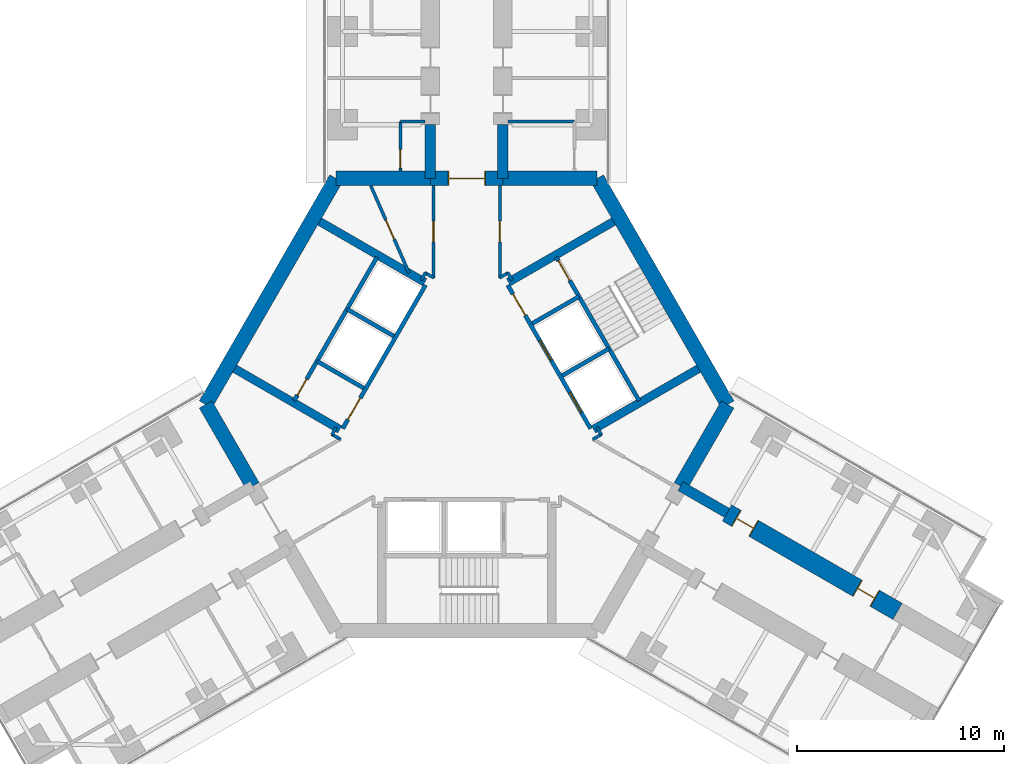
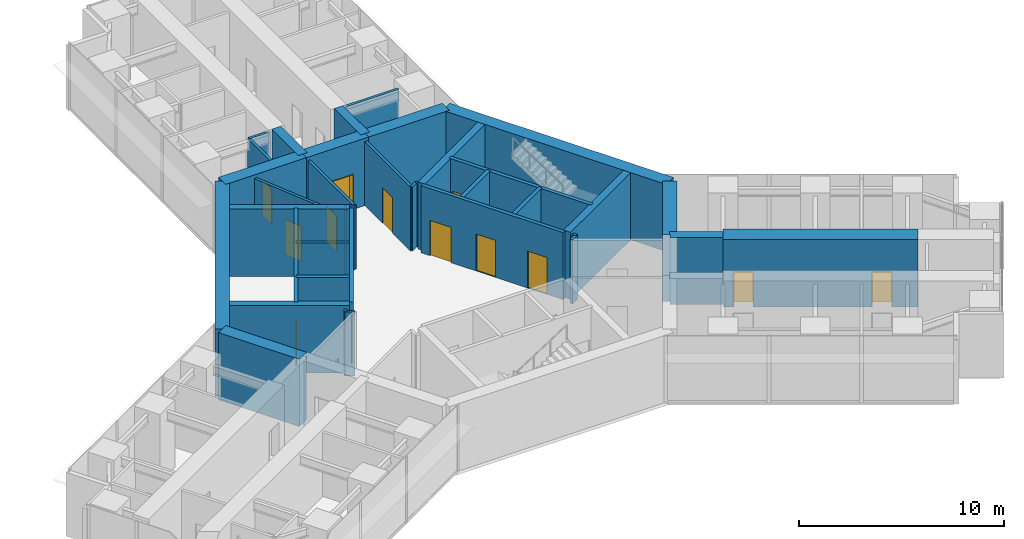
# One storey, part 21 of 24: 37 walls, 13 doors, 13 openings.
"""IFC4 building model written with IfcOpenShell, lengths in metres."""

from ifc_helpers import new_model, si_unit, direction, frame, frame_2d, origin, place, context, subcontext, project, spatial, rectangle, extrude, material, layer, layer_set, type_object, element, fill, save


model = new_model("IFC4")

# Units and contexts
model_context = context("Model", 3, precision=1e-05, world=origin(), true_north=direction((0.0, 1.0)))
body_context = subcontext(model_context, "Body", "Model", "MODEL_VIEW")
ifc_project = project(units=[si_unit("LENGTHUNIT", "METRE"), si_unit("AREAUNIT", "SQUARE_METRE"), si_unit("VOLUMEUNIT", "CUBIC_METRE"), si_unit("PLANEANGLEUNIT", "RADIAN"), si_unit("MASSUNIT", "GRAM", prefix="KILO")], contexts=[model_context])

# Site, building, storey
site_placement = place(None, origin())
site = spatial("IfcSite", under=ifc_project, at=site_placement, CompositionType="ELEMENT")
building_placement = place(site_placement, origin())
building = spatial("IfcBuilding", under=site, at=building_placement, Name="Upepo Twin Towers", CompositionType="ELEMENT")
storey_placement = place(building_placement, frame((0.0, 0.0, 56.5)))
storey = spatial("IfcBuildingStorey", under=building, at=storey_placement, Name="L13", CompositionType="ELEMENT", Elevation=56.5)

# Walls
ifc_material_1 = material(Name="Concrete C60/75", Category="concrete")
ifc_layer_1 = layer(ifc_material_1, 0.5)
ifc_layer_set_1 = layer_set([ifc_layer_1], Name="Concrete C60/75")
wall_type_1 = type_object("IfcWallType", Name="Buttress wall 500 RC", PredefinedType="SHEAR", material=ifc_layer_set_1)
for number, where, z_axis, x_axis, name in (
    (1, (56.75, -7.091552734375, 0.0), (0.0, 0.0, 1.0), (0.0, 1.0, 0.0), "T2 wing A buttress wall L"),
    (2, (60.25, -7.091552734375, 0.0), (0.0, 0.0, 1.0), (0.0, 1.0, 0.0), "T2 wing A buttress wall R"),
):
    element("IfcWall", number, at=place(storey_placement, frame(where, z_axis=z_axis, x_axis=x_axis)), inside=storey, type_object=wall_type_1, Name=name, PredefinedType="SHEAR", context=body_context, shape_type="SweptSolid", body=[
        extrude(rectangle(XDim=2.591552734375, YDim=0.5, at=frame_2d((1.2958984375, 0.0))), origin(), (0.0, 0.0, 1.0), 4.0),
    ])
wall_1_placement = place(storey_placement, frame((68.82177734375, -21.938720703125, 0.0), z_axis=(0.0, 0.0, 1.0), x_axis=(0.866072649678, -0.499918158782, 0.0)))
element("IfcWall", 3, at=wall_1_placement, inside=storey, type_object=wall_type_1, Name="T2 wing C buttress wall L", PredefinedType="SHEAR", context=body_context, shape_type="SweptSolid", body=[
    extrude(rectangle(XDim=2.591796875, YDim=0.5, at=frame_2d((1.2958984375, 0.0))), origin(), (0.0, 0.0, 1.0), 4.0),
])

# Wall, openings, doors
ifc_material_2 = material(Name="Concrete C60/75", Category="concrete")
ifc_layer_2 = layer(ifc_material_2, 0.89990234375)
ifc_layer_set_2 = layer_set([ifc_layer_2], Name="Concrete C60/75")
wall_type_2 = type_object("IfcWallType", Name="Buttress wall 900 RC", PredefinedType="SHEAR", material=ifc_layer_set_2)
wall_2_placement = place(storey_placement, frame((71.06640625, -23.234375, 0.0), z_axis=(0.0, 0.0, 1.0), x_axis=(0.86602681393, -0.499997557548, 0.0)))
wall_2 = element("IfcWall", 4, at=wall_2_placement, inside=storey, type_object=wall_type_2, Name="T2 wing C buttress wall L part 2", PredefinedType="SHEAR", context=body_context, shape_type="SweptSolid", body=[
    extrude(rectangle(XDim=9.5, YDim=0.89990234375, at=frame_2d((4.75, 0.0))), origin(), (0.0, 0.0, 1.0), 4.0),
])
opening_1_placement = place(wall_2_placement, frame((0.5, 0.0, 0.0)))
opening_1 = element("IfcOpeningElement", 5, at=opening_1_placement, cuts=wall_2, Name="Opening D1", PredefinedType="OPENING", context=body_context, shape_type="SweptSolid", body=[
    extrude(rectangle(XDim=1.0, YDim=2.10009765625, at=frame_2d((0.5, 1.050048828125))), frame((0.0, 0.4599609375, 0.0), z_axis=(0.0, -1.0, 0.0), x_axis=(1.0, 0.0, 0.0)), (0.0, 0.0, 1.0), 0.919921875),
])
opening_2_placement = place(wall_2_placement, frame((7.25, 0.0, 0.0)))
opening_2 = element("IfcOpeningElement", 6, at=opening_2_placement, cuts=wall_2, Name="Opening D1", PredefinedType="OPENING", context=body_context, shape_type="SweptSolid", body=[
    extrude(rectangle(XDim=1.0, YDim=2.10009765625, at=frame_2d((0.5, 1.050048828125))), frame((0.0, 0.4599609375, 0.0), z_axis=(0.0, -1.0, 0.0), x_axis=(1.0, 0.0, 0.0)), (0.0, 0.0, 1.0), 0.919921875),
])
ifc_material_3 = material(Name="Timber doorset", Category="wood")
door_type_1 = type_object("IfcDoorType", Name="Room door 1000 FD30", OperationType="SINGLE_SWING_LEFT", PredefinedType="DOOR", material=ifc_material_3)
door_1_placement = place(opening_1_placement, origin())
door_1 = element("IfcDoor", 7, at=door_1_placement, inside=storey, type_object=door_type_1, Name="T2 L13 classroom door", OperationType="SINGLE_SWING_LEFT", OverallHeight=2.10009765625, OverallWidth=1.0, PredefinedType="DOOR", context=body_context, shape_type="SweptSolid", body=[
    extrude(rectangle(XDim=0.92, YDim=2.06009765625, at=frame_2d((0.5, 1.030029296875))), frame((0.0, 0.02490234375, 0.0), z_axis=(0.0, -1.0, 0.0), x_axis=(1.0, 0.0, 0.0)), (0.0, 0.0, 1.0), 0.050048828125),
    extrude(rectangle(XDim=0.04, YDim=2.10009765625, at=frame_2d((0.02001953125, 1.050048828125))), frame((0.0, 0.44970703125, 0.0), z_axis=(0.0, -1.0, 0.0), x_axis=(1.0, 0.0, 0.0)), (0.0, 0.0, 1.0), 0.8994140625),
    extrude(rectangle(XDim=0.04, YDim=2.10009765625, at=frame_2d((0.97998046875, 1.050048828125))), frame((0.0, 0.44970703125, 0.0), z_axis=(0.0, -1.0, 0.0), x_axis=(1.0, 0.0, 0.0)), (0.0, 0.0, 1.0), 0.8994140625),
    extrude(rectangle(XDim=0.92, YDim=0.04, at=frame_2d((0.5, 2.080078125))), frame((0.0, 0.44970703125, 0.0), z_axis=(0.0, -1.0, 0.0), x_axis=(1.0, 0.0, 0.0)), (0.0, 0.0, 1.0), 0.8994140625),
])
fill(opening_1, door_1)
door_2_placement = place(opening_2_placement, origin())
door_2 = element("IfcDoor", 8, at=door_2_placement, inside=storey, type_object=door_type_1, Name="T2 L13 seminar room door", OperationType="SINGLE_SWING_RIGHT", OverallHeight=2.10009765625, OverallWidth=1.0, PredefinedType="DOOR", context=body_context, shape_type="SweptSolid", body=[
    extrude(rectangle(XDim=0.92, YDim=2.06009765625, at=frame_2d((0.5, 1.030029296875))), frame((0.0, 0.02490234375, 0.0), z_axis=(0.0, -1.0, 0.0), x_axis=(1.0, 0.0, 0.0)), (0.0, 0.0, 1.0), 0.050048828125),
    extrude(rectangle(XDim=0.04, YDim=2.10009765625, at=frame_2d((0.02001953125, 1.050048828125))), frame((0.0, 0.44970703125, 0.0), z_axis=(0.0, -1.0, 0.0), x_axis=(1.0, 0.0, 0.0)), (0.0, 0.0, 1.0), 0.8994140625),
    extrude(rectangle(XDim=0.04, YDim=2.10009765625, at=frame_2d((0.97998046875, 1.050048828125))), frame((0.0, 0.44970703125, 0.0), z_axis=(0.0, -1.0, 0.0), x_axis=(1.0, 0.0, 0.0)), (0.0, 0.0, 1.0), 0.8994140625),
    extrude(rectangle(XDim=0.92, YDim=0.04, at=frame_2d((0.5, 2.080078125))), frame((0.0, 0.44970703125, 0.0), z_axis=(0.0, -1.0, 0.0), x_axis=(1.0, 0.0, 0.0)), (0.0, 0.0, 1.0), 0.8994140625),
])
fill(opening_2, door_2)

# Wall
ifc_material_4 = material(Name="Concrete C60/75", Category="concrete")
ifc_layer_3 = layer(ifc_material_4, 0.699951171875)
ifc_layer_set_3 = layer_set([ifc_layer_3], Name="Concrete C60/75")
wall_type_3 = type_object("IfcWallType", Name="Core wall 700 RC", PredefinedType="SHEAR", material=ifc_layer_set_3)
wall_3_placement = place(storey_placement, frame((64.7978515625, -7.091552734375, 0.0), z_axis=(0.0, 0.0, 1.0), x_axis=(-1.0, 0.0, 0.0)))
element("IfcWall", 9, at=wall_3_placement, inside=storey, type_object=wall_type_3, Name="T2 core wall 000 R", PredefinedType="SHEAR", context=body_context, shape_type="SweptSolid", body=[
    extrude(rectangle(XDim=4.5478515625, YDim=0.699951171875, at=frame_2d((2.27392578125, 0.0))), origin(), (0.0, 0.0, 1.0), 4.0),
])

# Wall, opening, door
wall_4_placement = place(storey_placement, frame((60.25, -7.091552734375, 0.0), z_axis=(0.0, 0.0, 1.0), x_axis=(-1.0, 0.0, 0.0)))
wall_4 = element("IfcWall", 10, at=wall_4_placement, inside=storey, type_object=wall_type_3, Name="T2 core wall 000", PredefinedType="SHEAR", context=body_context, shape_type="SweptSolid", body=[
    extrude(rectangle(XDim=3.5, YDim=0.699951171875, at=frame_2d((1.75, 0.0))), origin(), (0.0, 0.0, 1.0), 4.0),
])
opening_3_placement = place(wall_4_placement, frame((0.85009765625, 0.0, 0.0)))
opening_3 = element("IfcOpeningElement", 11, at=opening_3_placement, cuts=wall_4, Name="Opening D2", PredefinedType="OPENING", context=body_context, shape_type="SweptSolid", body=[
    extrude(rectangle(XDim=1.800048828125, YDim=2.10009765625, at=frame_2d((0.89990234375, 1.050048828125))), frame((0.0, 0.35986328125, 0.0), z_axis=(0.0, -1.0, 0.0), x_axis=(1.0, 0.0, 0.0)), (0.0, 0.0, 1.0), 0.719970703125),
])
ifc_material_5 = material(Name="Timber doorset", Category="wood")
door_type_2 = type_object("IfcDoorType", Name="Corridor double door 1800 FD60", OperationType="DOUBLE_DOOR_DOUBLE_SWING", PredefinedType="DOOR", material=ifc_material_5)
door_3_placement = place(opening_3_placement, origin())
door_3 = element("IfcDoor", 12, at=door_3_placement, inside=storey, type_object=door_type_2, Name="T2 L13 wing A corridor door", OperationType="DOUBLE_DOOR_DOUBLE_SWING", OverallHeight=2.10009765625, OverallWidth=1.800048828125, PredefinedType="DOOR", context=body_context, shape_type="SweptSolid", body=[
    extrude(rectangle(XDim=1.720048828125, YDim=2.06009765625, at=frame_2d((0.89990234375, 1.030029296875))), frame((0.0, 0.02490234375, 0.0), z_axis=(0.0, -1.0, 0.0), x_axis=(1.0, 0.0, 0.0)), (0.0, 0.0, 1.0), 0.050048828125),
    extrude(rectangle(XDim=0.04, YDim=2.10009765625, at=frame_2d((0.02001953125, 1.050048828125))), frame((0.0, 0.349609375, 0.0), z_axis=(0.0, -1.0, 0.0), x_axis=(1.0, 0.0, 0.0)), (0.0, 0.0, 1.0), 0.699462890625),
    extrude(rectangle(XDim=0.04, YDim=2.10009765625, at=frame_2d((1.780029296875, 1.050048828125))), frame((0.0, 0.349609375, 0.0), z_axis=(0.0, -1.0, 0.0), x_axis=(1.0, 0.0, 0.0)), (0.0, 0.0, 1.0), 0.699462890625),
    extrude(rectangle(XDim=1.720048828125, YDim=0.04, at=frame_2d((0.89990234375, 2.080078125))), frame((0.0, 0.349609375, 0.0), z_axis=(0.0, -1.0, 0.0), x_axis=(1.0, 0.0, 0.0)), (0.0, 0.0, 1.0), 0.699462890625),
])
fill(opening_3, door_3)

# Walls
wall_5_placement = place(storey_placement, frame((56.75, -7.091552734375, 0.0), z_axis=(0.0, 0.0, 1.0), x_axis=(-1.0, 0.0, 0.0)))
element("IfcWall", 13, at=wall_5_placement, inside=storey, type_object=wall_type_3, Name="T2 core wall 000 L", PredefinedType="SHEAR", context=body_context, shape_type="SweptSolid", body=[
    extrude(rectangle(XDim=4.5478515625, YDim=0.699951171875, at=frame_2d((2.27392578125, 0.0))), origin(), (0.0, 0.0, 1.0), 4.0),
])
wall_6_placement = place(storey_placement, frame((52.2021484375, -7.091552734375, 0.0), z_axis=(0.0, 0.0, 1.0), x_axis=(-0.500005998175, -0.866021940709, 0.0)))
element("IfcWall", 14, at=wall_6_placement, inside=storey, type_object=wall_type_3, Name="T2 core wall 060", PredefinedType="SHEAR", context=body_context, shape_type="SweptSolid", body=[
    extrude(rectangle(XDim=12.595947265625, YDim=0.699951171875, at=frame_2d((6.2978515625, 0.0))), origin(), (0.0, 0.0, 1.0), 4.0),
])
for number, where, z_axis, x_axis, name in (
    (15, (45.904052734375, -18.0, 0.0), (0.0, 0.0, 1.0), (0.500024481964, -0.866011268655, 0.0), "T2 core wall 120 R"),
    (16, (68.82177734375, -21.938720703125, 0.0), (0.0, 0.0, 1.0), (0.500024481964, 0.866011268655, 0.0), "T2 core wall 240 L"),
):
    element("IfcWall", number, at=place(storey_placement, frame(where, z_axis=z_axis, x_axis=x_axis)), inside=storey, type_object=wall_type_3, Name=name, PredefinedType="SHEAR", context=body_context, shape_type="SweptSolid", body=[
        extrude(rectangle(XDim=4.548095703125, YDim=0.699951171875, at=frame_2d((2.27392578125, 0.0))), origin(), (0.0, 0.0, 1.0), 4.0),
    ])
wall_7_placement = place(storey_placement, frame((71.095947265625, -18.0, 0.0), z_axis=(0.0, 0.0, 1.0), x_axis=(-0.500005998175, 0.866021940709, 0.0)))
element("IfcWall", 17, at=wall_7_placement, inside=storey, type_object=wall_type_3, Name="T2 core wall 300", PredefinedType="SHEAR", context=body_context, shape_type="SweptSolid", body=[
    extrude(rectangle(XDim=12.595947265625, YDim=0.699951171875, at=frame_2d((6.2978515625, 0.0))), origin(), (0.0, 0.0, 1.0), 4.0),
])

# Wall, opening, door
ifc_material_6 = material(Name="Concrete C40/50", Category="concrete")
ifc_layer_4 = layer(ifc_material_6, 0.199951171875)
ifc_layer_set_4 = layer_set([ifc_layer_4], Name="Concrete C40/50")
wall_type_4 = type_object("IfcWallType", Name="Shaft wall 200 RC", PredefinedType="SHEAR", material=ifc_layer_set_4)
wall_8_placement = place(storey_placement, frame((56.516357421875, -12.23583984375, 0.0), z_axis=(0.0, 0.0, 1.0), x_axis=(-0.49999894854, -0.866026010844, 0.0)))
wall_8 = element("IfcWall", 18, at=wall_8_placement, inside=storey, type_object=wall_type_4, Name="T2 core W60 front wall", PredefinedType="SHEAR", context=body_context, shape_type="SweptSolid", body=[
    extrude(rectangle(XDim=8.0, YDim=0.199951171875, at=frame_2d((4.0, 0.0))), origin(), (0.0, 0.0, 1.0), 4.0),
])
opening_4_placement = place(wall_8_placement, frame((6.300048828125, 0.0, 0.0)))
opening_4 = element("IfcOpeningElement", 19, at=opening_4_placement, cuts=wall_8, Name="Opening D4", PredefinedType="OPENING", context=body_context, shape_type="SweptSolid", body=[
    extrude(rectangle(XDim=1.199951171875, YDim=2.10009765625, at=frame_2d((0.60009765625, 1.050048828125))), frame((0.0, 0.10986328125, 0.0), z_axis=(0.0, -1.0, 0.0), x_axis=(1.0, 0.0, 0.0)), (0.0, 0.0, 1.0), 0.219970703125),
])
ifc_material_7 = material(Name="Timber doorset", Category="wood")
door_type_3 = type_object("IfcDoorType", Name="Lobby door 1200 FD60", OperationType="SINGLE_SWING_LEFT", PredefinedType="DOOR", material=ifc_material_7)
door_4_placement = place(opening_4_placement, origin())
door_4 = element("IfcDoor", 20, at=door_4_placement, inside=storey, type_object=door_type_3, Name="T2 L13 W60 lobby door", OperationType="SINGLE_SWING_RIGHT", OverallHeight=2.10009765625, OverallWidth=1.199951171875, PredefinedType="DOOR", context=body_context, shape_type="SweptSolid", body=[
    extrude(rectangle(XDim=1.199951171875, YDim=2.10009765625, at=frame_2d((0.60009765625, 1.050048828125))), frame((0.0, 0.02490234375, 0.0), z_axis=(0.0, -1.0, 0.0), x_axis=(1.0, 0.0, 0.0)), (0.0, 0.0, 1.0), 0.050048828125),
])
fill(opening_4, door_4)

# Walls
for number, where, z_axis, x_axis, name in (
    (21, (54.979736328125, -14.697265625, 0.0), (0.0, 0.0, 1.0), (-0.866062058628, 0.499936506574, 0.0), "T2 core W60 shaft divider"),
    (22, (53.52978515625, -17.208740234375, 0.0), (0.0, 0.0, 1.0), (-0.866062058628, 0.499936506574, 0.0), "T2 core W60 lobby wall"),
):
    element("IfcWall", number, at=place(storey_placement, frame(where, z_axis=z_axis, x_axis=x_axis)), inside=storey, type_object=wall_type_4, Name=name, PredefinedType="SHEAR", context=body_context, shape_type="SweptSolid", body=[
        extrude(rectangle(XDim=2.599853515625, YDim=0.199951171875, at=frame_2d((1.2998046875, 0.0))), origin(), (0.0, 0.0, 1.0), 4.0),
    ])

# Wall, opening, door
wall_9_placement = place(storey_placement, frame((54.177978515625, -10.885986328125, 0.0), z_axis=(0.0, 0.0, 1.0), x_axis=(-0.49999894854, -0.866026010844, 0.0)))
wall_9 = element("IfcWall", 23, at=wall_9_placement, inside=storey, type_object=wall_type_4, Name="T2 core W60 stair wall", PredefinedType="SHEAR", context=body_context, shape_type="SweptSolid", body=[
    extrude(rectangle(XDim=8.0, YDim=0.199951171875, at=frame_2d((4.0, 0.0))), origin(), (0.0, 0.0, 1.0), 4.0),
])
opening_5_placement = place(wall_9_placement, frame((6.800048828125, 0.0, 0.0)))
opening_5 = element("IfcOpeningElement", 24, at=opening_5_placement, cuts=wall_9, Name="Opening D9", PredefinedType="OPENING", context=body_context, shape_type="SweptSolid", body=[
    extrude(rectangle(XDim=0.89990234375, YDim=2.10009765625, at=frame_2d((0.449951171875, 1.050048828125))), frame((0.0, 0.10986328125, 0.0), z_axis=(0.0, -1.0, 0.0), x_axis=(1.0, 0.0, 0.0)), (0.0, 0.0, 1.0), 0.219970703125),
])
ifc_material_8 = material(Name="Timber doorset", Category="wood")
door_type_4 = type_object("IfcDoorType", Name="Riser door 900 FD60", OperationType="SINGLE_SWING_LEFT", PredefinedType="DOOR", material=ifc_material_8)
door_5_placement = place(opening_5_placement, origin())
door_5 = element("IfcDoor", 25, at=door_5_placement, inside=storey, type_object=door_type_4, Name="T2 L13 riser door", OperationType="SINGLE_SWING_RIGHT", OverallHeight=2.10009765625, OverallWidth=0.89990234375, PredefinedType="DOOR", context=body_context, shape_type="SweptSolid", body=[
    extrude(rectangle(XDim=0.89990234375, YDim=2.10009765625, at=frame_2d((0.449951171875, 1.050048828125))), frame((0.0, 0.02490234375, 0.0), z_axis=(0.0, -1.0, 0.0), x_axis=(1.0, 0.0, 0.0)), (0.0, 0.0, 1.0), 0.050048828125),
])
fill(opening_5, door_5)

# Wall, openings, doors
wall_10_placement = place(storey_placement, frame((64.483642578125, -19.1640625, 0.0), z_axis=(0.0, 0.0, 1.0), x_axis=(-0.49999894854, 0.866026010844, 0.0)))
wall_10 = element("IfcWall", 26, at=wall_10_placement, inside=storey, type_object=wall_type_4, Name="T2 core W300 front wall", PredefinedType="SHEAR", context=body_context, shape_type="SweptSolid", body=[
    extrude(rectangle(XDim=8.0, YDim=0.199951171875, at=frame_2d((4.0, 0.0))), origin(), (0.0, 0.0, 1.0), 4.0),
])
opening_6_placement = place(wall_10_placement, frame((6.300048828125, 0.0, 0.0)))
opening_6 = element("IfcOpeningElement", 27, at=opening_6_placement, cuts=wall_10, Name="Opening D4", PredefinedType="OPENING", context=body_context, shape_type="SweptSolid", body=[
    extrude(rectangle(XDim=1.199951171875, YDim=2.10009765625, at=frame_2d((0.60009765625, 1.050048828125))), frame((0.0, 0.10986328125, 0.0), z_axis=(0.0, -1.0, 0.0), x_axis=(1.0, 0.0, 0.0)), (0.0, 0.0, 1.0), 0.219970703125),
])
opening_7_placement = place(wall_10_placement, frame((0.89990234375, 0.0, 0.0)))
opening_7 = element("IfcOpeningElement", 28, at=opening_7_placement, cuts=wall_10, Name="Opening LD1", PredefinedType="OPENING", context=body_context, shape_type="SweptSolid", body=[
    extrude(rectangle(XDim=1.10009765625, YDim=2.199951171875, at=frame_2d((0.550048828125, 1.10009765625))), frame((0.0, 0.10986328125, 0.0), z_axis=(0.0, -1.0, 0.0), x_axis=(1.0, 0.0, 0.0)), (0.0, 0.0, 1.0), 0.219970703125),
])
opening_8_placement = place(wall_10_placement, frame((3.800048828125, 0.0, 0.0)))
opening_8 = element("IfcOpeningElement", 29, at=opening_8_placement, cuts=wall_10, Name="Opening LD1", PredefinedType="OPENING", context=body_context, shape_type="SweptSolid", body=[
    extrude(rectangle(XDim=1.10009765625, YDim=2.199951171875, at=frame_2d((0.550048828125, 1.10009765625))), frame((0.0, 0.10986328125, 0.0), z_axis=(0.0, -1.0, 0.0), x_axis=(1.0, 0.0, 0.0)), (0.0, 0.0, 1.0), 0.219970703125),
])
ifc_material_9 = material(Name="Steel doorset", Category="steel")
door_type_5 = type_object("IfcDoorType", Name="Lift landing door 1100", OperationType="DOUBLE_DOOR_SLIDING", PredefinedType="DOOR", material=ifc_material_9)
door_6_placement = place(opening_7_placement, origin())
door_6 = element("IfcDoor", 30, at=door_6_placement, inside=storey, type_object=door_type_5, Name="T2 L13 lift LL1 landing door", OperationType="DOUBLE_DOOR_SLIDING", OverallHeight=2.199951171875, OverallWidth=1.10009765625, PredefinedType="DOOR", context=body_context, shape_type="SweptSolid", body=[
    extrude(rectangle(XDim=1.10009765625, YDim=2.199951171875, at=frame_2d((0.550048828125, 1.10009765625))), frame((0.0, 0.02490234375, 0.0), z_axis=(0.0, -1.0, 0.0), x_axis=(1.0, 0.0, 0.0)), (0.0, 0.0, 1.0), 0.050048828125),
])
fill(opening_7, door_6)
door_7_placement = place(opening_8_placement, origin())
door_7 = element("IfcDoor", 31, at=door_7_placement, inside=storey, type_object=door_type_5, Name="T2 L13 lift LL2 landing door", OperationType="DOUBLE_DOOR_SLIDING", OverallHeight=2.199951171875, OverallWidth=1.10009765625, PredefinedType="DOOR", context=body_context, shape_type="SweptSolid", body=[
    extrude(rectangle(XDim=1.10009765625, YDim=2.199951171875, at=frame_2d((0.550048828125, 1.10009765625))), frame((0.0, 0.02490234375, 0.0), z_axis=(0.0, -1.0, 0.0), x_axis=(1.0, 0.0, 0.0)), (0.0, 0.0, 1.0), 0.050048828125),
])
fill(opening_8, door_7)
door_8_placement = place(opening_6_placement, origin())
door_8 = element("IfcDoor", 32, at=door_8_placement, inside=storey, type_object=door_type_3, Name="T2 L13 W300 lobby door", OperationType="SINGLE_SWING_RIGHT", OverallHeight=2.10009765625, OverallWidth=1.199951171875, PredefinedType="DOOR", context=body_context, shape_type="SweptSolid", body=[
    extrude(rectangle(XDim=1.199951171875, YDim=2.10009765625, at=frame_2d((0.60009765625, 1.050048828125))), frame((0.0, 0.02490234375, 0.0), z_axis=(0.0, -1.0, 0.0), x_axis=(1.0, 0.0, 0.0)), (0.0, 0.0, 1.0), 0.050048828125),
])
fill(opening_6, door_8)

# Walls
wall_11_placement = place(storey_placement, frame((63.120361328125, -16.6025390625, 0.0), z_axis=(0.0, 0.0, 1.0), x_axis=(0.866062058628, 0.499936506574, 0.0)))
element("IfcWall", 33, at=wall_11_placement, inside=storey, type_object=wall_type_4, Name="T2 core W300 shaft divider", PredefinedType="SHEAR", context=body_context, shape_type="SweptSolid", body=[
    extrude(rectangle(XDim=2.599853515625, YDim=0.199951171875, at=frame_2d((1.2998046875, 0.0))), origin(), (0.0, 0.0, 1.0), 4.0),
])
wall_12_placement = place(storey_placement, frame((61.67041015625, -14.091064453125, 0.0), z_axis=(0.0, 0.0, 1.0), x_axis=(0.86603858612, 0.49997716683, 0.0)))
element("IfcWall", 34, at=wall_12_placement, inside=storey, type_object=wall_type_4, Name="T2 core W300 lobby wall", PredefinedType="SHEAR", context=body_context, shape_type="SweptSolid", body=[
    extrude(rectangle(XDim=2.599609375, YDim=0.199951171875, at=frame_2d((1.2998046875, 0.0))), origin(), (0.0, 0.0, 1.0), 4.0),
])

# Wall, opening, door
wall_13_placement = place(storey_placement, frame((66.822021484375, -17.814208984375, 0.0), z_axis=(0.0, 0.0, 1.0), x_axis=(-0.49999894854, 0.866026010844, 0.0)))
wall_13 = element("IfcWall", 35, at=wall_13_placement, inside=storey, type_object=wall_type_4, Name="T2 core W300 stair wall", PredefinedType="SHEAR", context=body_context, shape_type="SweptSolid", body=[
    extrude(rectangle(XDim=8.0, YDim=0.199951171875, at=frame_2d((4.0, 0.0))), origin(), (0.0, 0.0, 1.0), 4.0),
])
opening_9_placement = place(wall_13_placement, frame((6.699951171875, 0.0, 0.0)))
opening_9 = element("IfcOpeningElement", 36, at=opening_9_placement, cuts=wall_13, Name="Opening D3", PredefinedType="OPENING", context=body_context, shape_type="SweptSolid", body=[
    extrude(rectangle(XDim=1.10009765625, YDim=2.10009765625, at=frame_2d((0.550048828125, 1.050048828125))), frame((0.0, 0.10986328125, 0.0), z_axis=(0.0, -1.0, 0.0), x_axis=(1.0, 0.0, 0.0)), (0.0, 0.0, 1.0), 0.219970703125),
])
ifc_material_10 = material(Name="Timber doorset", Category="wood")
door_type_6 = type_object("IfcDoorType", Name="Stair door 1100 FD60", OperationType="SINGLE_SWING_LEFT", PredefinedType="DOOR", material=ifc_material_10)
door_9_placement = place(opening_9_placement, origin())
door_9 = element("IfcDoor", 37, at=door_9_placement, inside=storey, type_object=door_type_6, Name="T2 L13 stair door", OperationType="SINGLE_SWING_RIGHT", OverallHeight=2.10009765625, OverallWidth=1.10009765625, PredefinedType="DOOR", context=body_context, shape_type="SweptSolid", body=[
    extrude(rectangle(XDim=1.10009765625, YDim=2.10009765625, at=frame_2d((0.550048828125, 1.050048828125))), frame((0.0, 0.02490234375, 0.0), z_axis=(0.0, -1.0, 0.0), x_axis=(1.0, 0.0, 0.0)), (0.0, 0.0, 1.0), 0.050048828125),
])
fill(opening_9, door_9)

# Walls
ifc_material_11 = material(Name="Concrete C40/50", Category="concrete")
ifc_layer_5 = layer(ifc_material_11, 0.39990234375)
ifc_layer_set_5 = layer_set([ifc_layer_5], Name="Concrete C40/50")
wall_type_5 = type_object("IfcWallType", Name="Shaft wall 400 RC", PredefinedType="SHEAR", material=ifc_layer_set_5)
for number, where, z_axis, x_axis, name in (
    (38, (52.379638671875, -19.20068359375, 0.0), (0.0, 0.0, 1.0), (-0.866023886965, 0.500002627198, 0.0), "T2 core W60 side wall N"),
    (39, (56.479736328125, -12.099365234375, 0.0), (0.0, 0.0, 1.0), (-0.866023886965, 0.500002627198, 0.0), "T2 core W60 side wall S"),
    (40, (60.520263671875, -12.099365234375, 0.0), (0.0, 0.0, 1.0), (0.866023886965, 0.500002627198, 0.0), "T2 core W300 side wall N"),
    (41, (64.620361328125, -19.20068359375, 0.0), (0.0, 0.0, 1.0), (0.866023886965, 0.500002627198, 0.0), "T2 core W300 side wall S"),
):
    element("IfcWall", number, at=place(storey_placement, frame(where, z_axis=z_axis, x_axis=x_axis)), inside=storey, type_object=wall_type_5, Name=name, PredefinedType="SHEAR", context=body_context, shape_type="SweptSolid", body=[
        extrude(rectangle(XDim=5.8583984375, YDim=0.39990234375, at=frame_2d((2.92919921875, 0.0))), origin(), (0.0, 0.0, 1.0), 4.0),
    ])

# Wall, opening, door
ifc_material_12 = material(Name="Gypsum board on steel studs", Category="steel")
ifc_layer_6 = layer(ifc_material_12, 0.14990234375)
ifc_layer_set_6 = layer_set([ifc_layer_6], Name="Teaching partition 150 acoustic")
wall_type_6 = type_object("IfcWallType", Name="Teaching partition 150 acoustic", PredefinedType="PARTITIONING", material=ifc_layer_set_6)
wall_14_placement = place(storey_placement, frame((55.300048828125, -6.741943359375, 0.0), z_axis=(0.0, 0.0, 1.0), x_axis=(0.0, 1.0, 0.0)))
wall_14 = element("IfcWall", 42, at=wall_14_placement, inside=storey, type_object=wall_type_6, Name="T2 WC bay partition AL at 11.26", PredefinedType="PARTITIONING", context=body_context, shape_type="SweptSolid", body=[
    extrude(rectangle(XDim=2.39990234375, YDim=0.14990234375, at=frame_2d((1.199951171875, 0.0))), origin(), (0.0, 0.0, 1.0), 3.800048828125),
])
opening_10_placement = place(wall_14_placement, frame((0.14990234375, 0.0, 0.0)))
opening_10 = element("IfcOpeningElement", 43, at=opening_10_placement, cuts=wall_14, Name="Opening D14", PredefinedType="OPENING", context=body_context, shape_type="SweptSolid", body=[
    extrude(rectangle(XDim=0.89990234375, YDim=2.10009765625, at=frame_2d((0.449951171875, 1.050048828125))), frame((0.0, 0.0849609375, 0.0), z_axis=(0.0, -1.0, 0.0), x_axis=(1.0, 0.0, 0.0)), (0.0, 0.0, 1.0), 0.169921875),
])
ifc_material_13 = material(Name="Timber doorset", Category="wood")
door_type_7 = type_object("IfcDoorType", Name="Office door 900 FD30", OperationType="SINGLE_SWING_LEFT", PredefinedType="DOOR", material=ifc_material_13)
door_10_placement = place(opening_10_placement, origin())
door_10 = element("IfcDoor", 44, at=door_10_placement, inside=storey, type_object=door_type_7, Name="T2 L13 WC bay inner room door", OperationType="SINGLE_SWING_LEFT", OverallHeight=2.10009765625, OverallWidth=0.89990234375, PredefinedType="DOOR", context=body_context, shape_type="SweptSolid", body=[
    extrude(rectangle(XDim=0.89990234375, YDim=2.10009765625, at=frame_2d((0.449951171875, 1.050048828125))), frame((0.0, 0.02490234375, 0.0), z_axis=(0.0, -1.0, 0.0), x_axis=(1.0, 0.0, 0.0)), (0.0, 0.0, 1.0), 0.050048828125),
])
fill(opening_10, door_10)

# Walls
wall_15_placement = place(storey_placement, frame((56.5, -4.342041015625, 0.0), z_axis=(0.0, 0.0, 1.0), x_axis=(-1.0, 0.0, 0.0)))
element("IfcWall", 45, at=wall_15_placement, inside=storey, type_object=wall_type_6, Name="T2 WC bay partition AL end at 13.66", PredefinedType="PARTITIONING", context=body_context, shape_type="SweptSolid", body=[
    extrude(rectangle(XDim=1.199951171875, YDim=0.14990234375, at=frame_2d((0.60009765625, 0.0))), origin(), (0.0, 0.0, 1.0), 3.800048828125),
])
wall_16_placement = place(storey_placement, frame((60.5, -4.342041015625, 0.0), z_axis=(0.0, 0.0, 1.0), x_axis=(1.0, 0.0, 0.0)))
element("IfcWall", 46, at=wall_16_placement, inside=storey, type_object=wall_type_6, Name="T2 WC bay partition AR end at 13.66", PredefinedType="PARTITIONING", context=body_context, shape_type="SweptSolid", body=[
    extrude(rectangle(XDim=3.199951171875, YDim=0.14990234375, at=frame_2d((1.60009765625, 0.0))), origin(), (0.0, 0.0, 1.0), 3.800048828125),
])
wall_17_placement = place(storey_placement, frame((52.417236328125, -19.684326171875, 0.0), z_axis=(0.0, 0.0, 1.0), x_axis=(-0.865831790172, 0.50033519877, 0.0)))
element("IfcWall", 47, at=wall_17_placement, inside=storey, type_object=wall_type_6, Name="T2 core room partition 4", PredefinedType="PARTITIONING", context=body_context, shape_type="SweptSolid", body=[
    extrude(rectangle(XDim=0.494384765625, YDim=0.14990234375, at=frame_2d((0.2470703125, 0.0))), origin(), (0.0, 0.0, 1.0), 3.800048828125),
])
for number, where, z_axis, x_axis, name in (
    (48, (51.99658203125, -19.46435546875, 0.0), (0.0, 0.0, 1.0), (0.499804398801, 0.866138304741, 0.0), "T2 core room partition 5"),
    (49, (56.301513671875, -12.0078125, 0.0), (0.0, 0.0, 1.0), (0.500230298122, 0.865892400268, 0.0), "T2 core room partition 6"),
):
    element("IfcWall", number, at=place(storey_placement, frame(where, z_axis=z_axis, x_axis=x_axis)), inside=storey, type_object=wall_type_6, Name=name, PredefinedType="PARTITIONING", context=body_context, shape_type="SweptSolid", body=[
        extrude(rectangle(XDim=0.429931640625, YDim=0.14990234375, at=frame_2d((0.21484375, 0.0))), origin(), (0.0, 0.0, 1.0), 3.800048828125),
    ])
wall_18_placement = place(storey_placement, frame((56.4892578125, -11.642822265625, 0.0), z_axis=(0.0, 0.0, 1.0), x_axis=(0.865831790172, -0.50033519877, 0.0)))
element("IfcWall", 50, at=wall_18_placement, inside=storey, type_object=wall_type_6, Name="T2 core room partition 7", PredefinedType="PARTITIONING", context=body_context, shape_type="SweptSolid", body=[
    extrude(rectangle(XDim=0.494384765625, YDim=0.14990234375, at=frame_2d((0.2470703125, 0.0))), origin(), (0.0, 0.0, 1.0), 3.800048828125),
])

# Wall, opening, door
wall_19_placement = place(storey_placement, frame((56.89990234375, -11.900146484375, 0.0), z_axis=(0.0, 0.0, 1.0), x_axis=(0.0, 1.0, 0.0)))
wall_19 = element("IfcWall", 51, at=wall_19_placement, inside=storey, type_object=wall_type_6, Name="T2 core room partition 8", PredefinedType="PARTITIONING", context=body_context, shape_type="SweptSolid", body=[
    extrude(rectangle(XDim=4.468505859375, YDim=0.14990234375, at=frame_2d((2.234375, 0.0))), origin(), (0.0, 0.0, 1.0), 3.800048828125),
])
opening_11_placement = place(wall_19_placement, frame((1.744384765625, 0.0, 0.0)))
opening_11 = element("IfcOpeningElement", 52, at=opening_11_placement, cuts=wall_19, Name="Opening D1", PredefinedType="OPENING", context=body_context, shape_type="SweptSolid", body=[
    extrude(rectangle(XDim=1.0, YDim=2.10009765625, at=frame_2d((0.5, 1.050048828125))), frame((0.0, 0.0849609375, 0.0), z_axis=(0.0, -1.0, 0.0), x_axis=(1.0, 0.0, 0.0)), (0.0, 0.0, 1.0), 0.169921875),
])
door_11_placement = place(opening_11_placement, origin())
door_11 = element("IfcDoor", 53, at=door_11_placement, inside=storey, type_object=door_type_1, Name="T2 L13 core room door K7", OperationType="SINGLE_SWING_RIGHT", OverallHeight=2.10009765625, OverallWidth=1.0, PredefinedType="DOOR", context=body_context, shape_type="SweptSolid", body=[
    extrude(rectangle(XDim=1.0, YDim=2.10009765625, at=frame_2d((0.5, 1.050048828125))), frame((0.0, 0.02490234375, 0.0), z_axis=(0.0, -1.0, 0.0), x_axis=(1.0, 0.0, 0.0)), (0.0, 0.0, 1.0), 0.050048828125),
])
fill(opening_11, door_11)

wall_20_placement = place(storey_placement, frame((60.10009765625, -7.431640625, 0.0), z_axis=(0.0, 0.0, 1.0), x_axis=(0.0, -1.0, 0.0)))
wall_20 = element("IfcWall", 54, at=wall_20_placement, inside=storey, type_object=wall_type_6, Name="T2 core room partition 9", PredefinedType="PARTITIONING", context=body_context, shape_type="SweptSolid", body=[
    extrude(rectangle(XDim=4.468505859375, YDim=0.14990234375, at=frame_2d((2.234375, 0.0))), origin(), (0.0, 0.0, 1.0), 3.800048828125),
])
opening_12_placement = place(wall_20_placement, frame((1.72412109375, 0.0, 0.0)))
opening_12 = element("IfcOpeningElement", 55, at=opening_12_placement, cuts=wall_20, Name="Opening D1", PredefinedType="OPENING", context=body_context, shape_type="SweptSolid", body=[
    extrude(rectangle(XDim=1.0, YDim=2.10009765625, at=frame_2d((0.5, 1.050048828125))), frame((0.0, 0.0849609375, 0.0), z_axis=(0.0, -1.0, 0.0), x_axis=(1.0, 0.0, 0.0)), (0.0, 0.0, 1.0), 0.169921875),
])
door_12_placement = place(opening_12_placement, origin())
door_12 = element("IfcDoor", 56, at=door_12_placement, inside=storey, type_object=door_type_1, Name="T2 L13 core room door K5", OperationType="SINGLE_SWING_LEFT", OverallHeight=2.10009765625, OverallWidth=1.0, PredefinedType="DOOR", context=body_context, shape_type="SweptSolid", body=[
    extrude(rectangle(XDim=1.0, YDim=2.10009765625, at=frame_2d((0.5, 1.050048828125))), frame((0.0, 0.02490234375, 0.0), z_axis=(0.0, -1.0, 0.0), x_axis=(1.0, 0.0, 0.0)), (0.0, 0.0, 1.0), 0.050048828125),
])
fill(opening_12, door_12)

# Walls
wall_21_placement = place(storey_placement, frame((60.082763671875, -11.89013671875, 0.0), z_axis=(0.0, 0.0, 1.0), x_axis=(0.865831790172, 0.50033519877, 0.0)))
element("IfcWall", 57, at=wall_21_placement, inside=storey, type_object=wall_type_6, Name="T2 core room partition 10", PredefinedType="PARTITIONING", context=body_context, shape_type="SweptSolid", body=[
    extrude(rectangle(XDim=0.494384765625, YDim=0.14990234375, at=frame_2d((0.2470703125, 0.0))), origin(), (0.0, 0.0, 1.0), 3.800048828125),
])
for number, where, z_axis, x_axis, name in (
    (58, (60.4833984375, -11.635498046875, 0.0), (0.0, 0.0, 1.0), (0.500230298122, -0.865892400268, 0.0), "T2 core room partition 11"),
    (59, (64.78857421875, -19.092041015625, 0.0), (0.0, 0.0, 1.0), (0.499804398801, -0.866138304741, 0.0), "T2 core room partition 12"),
):
    element("IfcWall", number, at=place(storey_placement, frame(where, z_axis=z_axis, x_axis=x_axis)), inside=storey, type_object=wall_type_6, Name=name, PredefinedType="PARTITIONING", context=body_context, shape_type="SweptSolid", body=[
        extrude(rectangle(XDim=0.429931640625, YDim=0.14990234375, at=frame_2d((0.21484375, 0.0))), origin(), (0.0, 0.0, 1.0), 3.800048828125),
    ])
wall_22_placement = place(storey_placement, frame((65.0107421875, -19.43701171875, 0.0), z_axis=(0.0, 0.0, 1.0), x_axis=(-0.865831790172, -0.50033519877, 0.0)))
element("IfcWall", 60, at=wall_22_placement, inside=storey, type_object=wall_type_6, Name="T2 core room partition 13", PredefinedType="PARTITIONING", context=body_context, shape_type="SweptSolid", body=[
    extrude(rectangle(XDim=0.494384765625, YDim=0.14990234375, at=frame_2d((0.2470703125, 0.0))), origin(), (0.0, 0.0, 1.0), 3.800048828125),
])

# Wall, opening, door
wall_23_placement = place(storey_placement, frame((55.722900390625, -11.662353515625, 0.0), z_axis=(0.0, 0.0, 1.0), x_axis=(-0.40133016735, 0.915933456521, 0.0)))
wall_23 = element("IfcWall", 61, at=wall_23_placement, inside=storey, type_object=wall_type_6, Name="T2 core room partition 19", PredefinedType="PARTITIONING", context=body_context, shape_type="SweptSolid", body=[
    extrude(rectangle(XDim=4.608154296875, YDim=0.14990234375, at=frame_2d((2.30419921875, 0.0))), origin(), (0.0, 0.0, 1.0), 3.800048828125),
])
opening_13_placement = place(wall_23_placement, frame((1.803955078125, 0.0, 0.0)))
opening_13 = element("IfcOpeningElement", 62, at=opening_13_placement, cuts=wall_23, Name="Opening D1", PredefinedType="OPENING", context=body_context, shape_type="SweptSolid", body=[
    extrude(rectangle(XDim=1.0, YDim=2.10009765625, at=frame_2d((0.5, 1.050048828125))), frame((0.0, 0.0849609375, 0.0), z_axis=(0.0, -1.0, 0.0), x_axis=(1.0, 0.0, 0.0)), (0.0, 0.0, 1.0), 0.169921875),
])
door_13_placement = place(opening_13_placement, origin())
door_13 = element("IfcDoor", 63, at=door_13_placement, inside=storey, type_object=door_type_1, Name="T2 L13 core room door K6", OperationType="SINGLE_SWING_LEFT", OverallHeight=2.10009765625, OverallWidth=1.0, PredefinedType="DOOR", context=body_context, shape_type="SweptSolid", body=[
    extrude(rectangle(XDim=1.0, YDim=2.10009765625, at=frame_2d((0.5, 1.050048828125))), frame((0.0, 0.02490234375, 0.0), z_axis=(0.0, -1.0, 0.0), x_axis=(1.0, 0.0, 0.0)), (0.0, 0.0, 1.0), 0.050048828125),
])
fill(opening_13, door_13)

save(model, "model.ifc")
